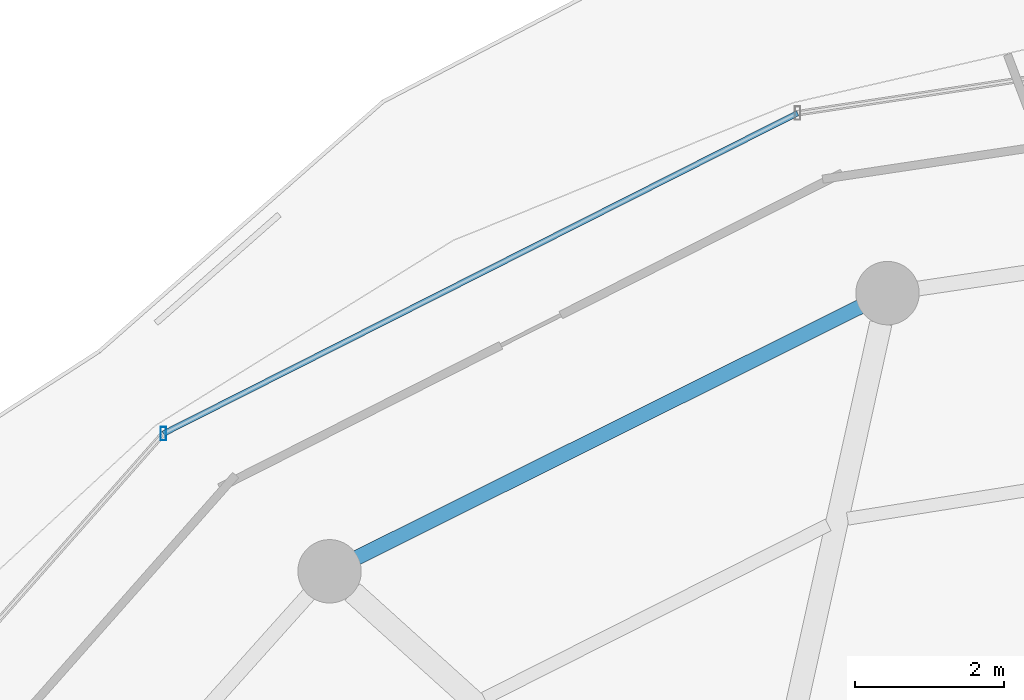
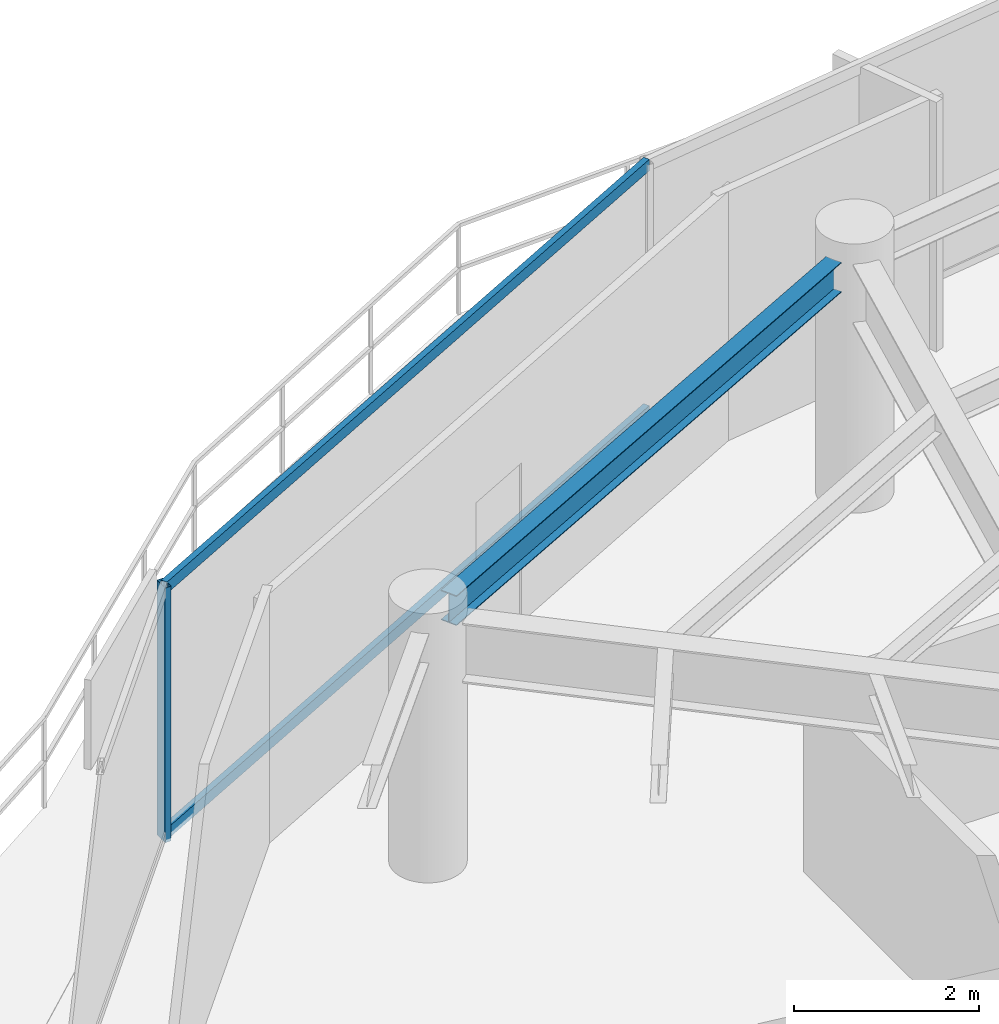
# One storey, part 16 of 30: 3 members, 1 beam, 1 element without a shape of its own.
"""IFC4 building model written with IfcOpenShell, lengths in metres."""

import ifcopenshell
import ifcopenshell.guid

model = None  # the IFC model being written
_history = None  # IfcOwnerHistory: only IFC2X3 demands one
_inside = {}  # id of a spatial element -> (the spatial element, [elements in it])
_under = {}  # id of a project, library or spatial element -> (it, [spatial elements below it])
_declared = {}  # id of a project -> (the project, [libraries it declares])
_typed = {}  # id of a type object -> (the type object, [elements of that type])
_made_of = {}  # id of a material, layer set ... -> (it, [elements and type objects made of it])


def new_model(schema):
    """Start an empty IFC model of exactly this schema.

    Asked for "IFC4X3", IfcOpenShell would pick the latest addendum, in which some entities
    have other attributes; the version numbers below select the first issue.
    IFC2X3 requires an IfcOwnerHistory on every rooted entity: one is made here for all.
    """
    global model, _history
    if schema == "IFC4X3":
        model = ifcopenshell.file(schema_version=(4, 3, 0, 0))
    else:
        model = ifcopenshell.file(schema=schema)
    _inside.clear()
    _under.clear()
    _declared.clear()
    _typed.clear()
    _made_of.clear()
    _history = None
    if model.schema == "IFC2X3":
        org = make("IfcOrganization", Name="unknown")
        user = make(
            "IfcPersonAndOrganization",
            ThePerson=make("IfcPerson", FamilyName="unknown"),
            TheOrganization=org,
        )
        app = make(
            "IfcApplication",
            ApplicationDeveloper=org,
            Version="unknown",
            ApplicationFullName="unknown",
            ApplicationIdentifier="unknown",
        )
        _history = make(
            "IfcOwnerHistory",
            OwningUser=user,
            OwningApplication=app,
            ChangeAction="ADDED",
            CreationDate=0,
        )
    return model


def make(cls, **values):
    """One entity of the class cls with the attributes given. An attribute that is None is left unset."""
    return model.create_entity(
        cls, **{name: value for name, value in values.items() if value is not None}
    )


def rooted(cls, **values):
    """An entity with a GlobalId (a new one), such as an element, a storey or a relation."""
    return make(cls, GlobalId=ifcopenshell.guid.new(), OwnerHistory=_history, **values)


def si_unit(unit_type, name, prefix=None):
    """IfcSIUnit, for example si_unit("LENGTHUNIT", "METRE", prefix="MILLI")."""
    return make("IfcSIUnit", UnitType=unit_type, Prefix=prefix, Name=name)


def assignment(units):
    """IfcUnitAssignment: the units of a project."""
    return None if units is None else make("IfcUnitAssignment", Units=units)


def point(xyz):
    """IfcCartesianPoint."""
    return None if xyz is None else make("IfcCartesianPoint", Coordinates=xyz)


def direction(xyz):
    """IfcDirection."""
    return None if xyz is None else make("IfcDirection", DirectionRatios=xyz)


def frame(location, z_axis=None, x_axis=None):
    """IfcAxis2Placement3D, a coordinate frame: its origin and axes. An axis left out is left unset."""
    return make(
        "IfcAxis2Placement3D",
        Location=point(location),
        Axis=direction(z_axis),
        RefDirection=direction(x_axis),
    )


def frame_2d(location, x_axis=None):
    """IfcAxis2Placement2D, a coordinate frame in the plane: its origin and x axis."""
    return make(
        "IfcAxis2Placement2D", Location=point(location), RefDirection=direction(x_axis)
    )


def origin():
    """The frame at (0, 0, 0) with its axes left unset."""
    return frame((0.0, 0.0, 0.0))


def origin_2d():
    """The frame at (0, 0) in the plane with its x axis left unset."""
    return frame_2d((0.0, 0.0))


def place(relative_to, where):
    """IfcLocalPlacement: puts the frame where relative to a parent placement (None: the world)."""
    return make(
        "IfcLocalPlacement", PlacementRelTo=relative_to, RelativePlacement=where
    )


def context(
    kind, dimensions, precision=None, world=None, true_north=None, identifier=None
):
    """IfcGeometricRepresentationContext, for example the 3D "Model" context."""
    return make(
        "IfcGeometricRepresentationContext",
        ContextIdentifier=identifier,
        ContextType=kind,
        CoordinateSpaceDimension=dimensions,
        Precision=precision,
        WorldCoordinateSystem=world,
        TrueNorth=true_north,
    )


def subcontext(parent, identifier, kind, view, scale=None):
    """IfcGeometricRepresentationSubContext, for example "Body" below "Model"."""
    return make(
        "IfcGeometricRepresentationSubContext",
        ContextIdentifier=identifier,
        ContextType=kind,
        ParentContext=parent,
        TargetScale=scale,
        TargetView=view,
    )


def project(units=None, contexts=None):
    """IfcProject with its units and contexts."""
    return rooted(
        "IfcProject",
        Name="project",
        RepresentationContexts=contexts,
        UnitsInContext=assignment(units),
    )


def spatial(cls, under=None, at=None, **own):
    """A site, building, storey or space (cls), placed at a placement, below another one or the project."""
    s = rooted(cls, ObjectPlacement=at, **own)
    if under is not None:
        _under.setdefault(under.id(), (under, []))[1].append(s)
    return s


def profile(cls, at=None, kind="AREA", **sizes):
    """A parametric profile (cls). Its sizes go by their IFC names, for example OverallWidth=200.0."""
    return make(cls, ProfileType=kind, Position=at, **sizes)


def hollow_rectangle(**sizes):
    """IfcRectangleHollowProfileDef."""
    return profile("IfcRectangleHollowProfileDef", **sizes)


def i_section(**sizes):
    """IfcIShapeProfileDef."""
    return profile("IfcIShapeProfileDef", **sizes)


def extrude(swept, where, along, depth):
    """IfcExtrudedAreaSolid: the profile swept, set in the frame where, extruded along a direction by depth."""
    return make(
        "IfcExtrudedAreaSolid",
        SweptArea=swept,
        Position=where,
        ExtrudedDirection=direction(along),
        Depth=depth,
    )


def shape(context_of_items, identifier, shape_type, items):
    """IfcShapeRepresentation: the items that make up one representation, for example the "Body"."""
    return make(
        "IfcShapeRepresentation",
        ContextOfItems=context_of_items,
        RepresentationIdentifier=identifier,
        RepresentationType=shape_type,
        Items=items,
    )


def material(Name=None, Category=None):
    """IfcMaterial."""
    return make("IfcMaterial", Name=Name, Category=Category)


def material_profile(
    of_material, cross_section, Name=None, Category=None, Priority=None
):
    """IfcMaterialProfile: a cross section and its material."""
    return make(
        "IfcMaterialProfile",
        Name=Name,
        Material=of_material,
        Profile=cross_section,
        Priority=Priority,
        Category=Category,
    )


def profile_set(profiles, Name=None, composite=None):
    """IfcMaterialProfileSet."""
    return make(
        "IfcMaterialProfileSet",
        Name=Name,
        MaterialProfiles=profiles,
        CompositeProfile=composite,
    )


def made_of(thing, what):
    """Note that an element or type object is made of a material, layer set ...; save() writes the relation."""
    if what is not None:
        _made_of.setdefault(what.id(), (what, []))[1].append(thing)
    return thing


def type_object(cls, material=None, **own):
    """A type object (cls), such as IfcWallType, which elements share."""
    return made_of(rooted(cls, **own), material)


def element(
    cls,
    number,
    at=None,
    inside=None,
    cuts=None,
    type_object=None,
    material=None,
    context=None,
    identifier="Body",
    shape_type=None,
    held_by="IfcProductDefinitionShape",
    body=None,
    shapes=None,
    **own,
):
    """One element of the class cls, such as IfcWall. Its Tag is "e" and its number.

    at: its placement. inside: the storey or other place that contains it. cuts: it is an
    opening in that element (IfcRelVoidsElement). A single representation is given by context,
    identifier, shape_type and body (its items); several are given by shapes. held_by: the class
    of the entity that holds the representations. save() writes the other relations.
    """
    e = rooted(cls, Tag="e%d" % number, ObjectPlacement=at, **own)
    if body is not None:
        shapes = [shape(context, identifier, shape_type, body)]
    if shapes is not None:
        e.Representation = make(held_by, Representations=shapes)
    if inside is not None:
        _inside.setdefault(inside.id(), (inside, []))[1].append(e)
    if cuts is not None:
        rooted(
            "IfcRelVoidsElement", RelatingBuildingElement=cuts, RelatedOpeningElement=e
        )
    if type_object is not None:
        _typed.setdefault(type_object.id(), (type_object, []))[1].append(e)
    return made_of(e, material)


def aggregate(whole, parts):
    """IfcRelAggregates: a whole, such as a stair, and the parts it consists of."""
    return rooted("IfcRelAggregates", RelatingObject=whole, RelatedObjects=parts)


def save(model, path):
    """Write the relations noted so far, then the file.

    IfcRelAggregates (storeys below a building ...), IfcRelContainedInSpatialStructure (elements
    in a storey), IfcRelDefinesByType, IfcRelAssociatesMaterial and IfcRelDeclares: one each for
    every whole, place, type object, material and project.
    """
    for whole, parts in _under.values():
        aggregate(whole, parts)
    for where, things in _inside.values():
        rooted(
            "IfcRelContainedInSpatialStructure",
            RelatedElements=things,
            RelatingStructure=where,
        )
    for kind, things in _typed.values():
        rooted("IfcRelDefinesByType", RelatedObjects=things, RelatingType=kind)
    for what, things in _made_of.values():
        rooted("IfcRelAssociatesMaterial", RelatedObjects=things, RelatingMaterial=what)
    for by, libraries in _declared.values():
        rooted("IfcRelDeclares", RelatingContext=by, RelatedDefinitions=libraries)
    model.write(path)


model = new_model("IFC4")

# Units and contexts
model_context = context("Model", 3, precision=1e-05, world=origin(), true_north=direction((0.0, 1.0)))
body_context = subcontext(model_context, "Body", "Model", "MODEL_VIEW")
ifc_project = project(units=[si_unit("LENGTHUNIT", "METRE"), si_unit("AREAUNIT", "SQUARE_METRE"), si_unit("VOLUMEUNIT", "CUBIC_METRE"), si_unit("PLANEANGLEUNIT", "RADIAN"), si_unit("MASSUNIT", "GRAM", prefix="KILO")], contexts=[model_context])

# Site, building, storey
site_placement = place(None, origin())
site = spatial("IfcSite", under=ifc_project, at=site_placement, CompositionType="ELEMENT")
building_placement = place(site_placement, origin())
building = spatial("IfcBuilding", under=site, at=building_placement, Name="Vorneva Point Tower", CompositionType="ELEMENT")
storey_placement = place(building_placement, frame((0.0, 0.0, 241.35009765625)))
storey = spatial("IfcBuildingStorey", under=building, at=storey_placement, Name="L65", CompositionType="ELEMENT", Elevation=241.35009765625)

# Beam
ifc_material_1 = material(Name="Steel S355", Category="steel")
ifc_material_profile_1 = material_profile(ifc_material_1, i_section(OverallWidth=0.198974609375, OverallDepth=0.39599609375, WebThickness=0.007080078125, FlangeThickness=0.010986328125, at=origin_2d()), Name="40B1")
ifc_profile_set_1 = profile_set([ifc_material_profile_1], Name="Steel S355")
beam_type = type_object("IfcBeamType", Name="BM-SPN-40B1", PredefinedType="SPANDREL", material=ifc_profile_set_1)
beam_placement = place(storey_placement, frame((28.812255859375, 41.707763671875, 3.091796875), z_axis=(-0.894932011528, -0.446202526599, 0.0), x_axis=(0.446202526599, -0.894932011528, 0.0)))
element("IfcBeam", 1, at=beam_placement, inside=storey, type_object=beam_type, Name="L65 Perimeter Spandrel Ring Beam 06", PredefinedType="SPANDREL", context=body_context, shape_type="SweptSolid", body=[
    extrude(i_section(OverallWidth=0.198974609375, OverallDepth=0.39599609375, WebThickness=0.007080078125, FlangeThickness=0.010986328125, at=origin_2d()), origin(), (0.0, 0.0, 1.0), 7.535888671875),
])

# Curtain wall, members
ifc_material_2 = material(Name="Pale anodised aluminium", Category="aluminium")
curtain_wall_type = type_object("IfcCurtainWallType", Name="CW-RES-SYS", PredefinedType="NOTDEFINED", material=ifc_material_2)
curtain_wall_placement = place(storey_placement, origin())
curtain_wall = element("IfcCurtainWall", 2, at=curtain_wall_placement, inside=storey, type_object=curtain_wall_type, Name="L65 Unitised Curtain Wall CW-L65-R02", PredefinedType="NOTDEFINED")
ifc_material_profile_2 = material_profile(ifc_material_2, hollow_rectangle(XDim=0.074951171875, YDim=0.179931640625, WallThickness=0.00390625, at=origin_2d()), Name="AL-MUL 180x75x4")
ifc_profile_set_2 = profile_set([ifc_material_profile_2], Name="Pale anodised aluminium")
member_type_1 = type_object("IfcMemberType", Name="CW-MUL-180", PredefinedType="MULLION", material=ifc_profile_set_2)
member_1_placement = place(storey_placement, frame((19.473876953125, 40.0078125, -0.0400390625), z_axis=(0.0, 0.0, 1.0), x_axis=(1.0, 0.0, 0.0)))
member_1 = element("IfcMember", 3, at=member_1_placement, type_object=member_type_1, Name="CW-L65-R02 Mullion 05", PredefinedType="MULLION", context=body_context, shape_type="SweptSolid", body=[
    extrude(hollow_rectangle(XDim=0.074951171875, YDim=0.179931640625, WallThickness=0.00390625, at=origin_2d()), origin(), (0.0, 0.0, 1.0), 3.35986328125),
])
ifc_material_profile_3 = material_profile(ifc_material_2, hollow_rectangle(XDim=0.074951171875, YDim=0.14990234375, WallThickness=0.00390625, at=origin_2d()), Name="AL-TRN 150x75x4")
ifc_profile_set_3 = profile_set([ifc_material_profile_3], Name="Pale anodised aluminium")
member_type_2 = type_object("IfcMemberType", Name="CW-TRN-150", PredefinedType="USERDEFINED", material=ifc_profile_set_3)
member_2_placement = place(storey_placement, frame((27.9736328125, 44.302001953125, 0.02001953125), z_axis=(-0.892558185815, -0.450932239848, 0.0), x_axis=(0.450932239848, -0.892558185815, 0.0)))
member_2 = element("IfcMember", 4, at=member_2_placement, type_object=member_type_2, Name="CW-L65-R02 Transom 04.1", ObjectType="TRANSOM", PredefinedType="USERDEFINED", context=body_context, shape_type="SweptSolid", body=[
    extrude(hollow_rectangle(XDim=0.074951171875, YDim=0.14990234375, WallThickness=0.00390625, at=origin_2d()), origin(), (0.0, 0.0, 1.0), 9.52294921875),
])
member_3_placement = place(storey_placement, frame((27.9736328125, 44.302001953125, 3.27001953125), z_axis=(-0.892558185815, -0.450932239848, 0.0), x_axis=(0.450932239848, -0.892558185815, 0.0)))
member_3 = element("IfcMember", 5, at=member_3_placement, type_object=member_type_2, Name="CW-L65-R02 Transom 04.2", ObjectType="TRANSOM", PredefinedType="USERDEFINED", context=body_context, shape_type="SweptSolid", body=[
    extrude(hollow_rectangle(XDim=0.074951171875, YDim=0.14990234375, WallThickness=0.00390625, at=origin_2d()), origin(), (0.0, 0.0, 1.0), 9.52294921875),
])
aggregate(curtain_wall, [member_1, member_2, member_3])

save(model, "model.ifc")
